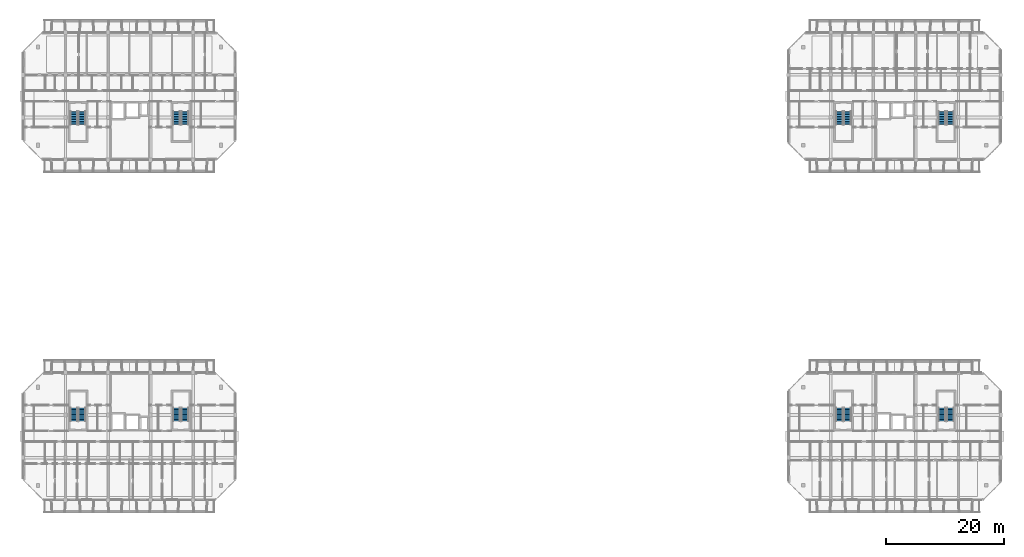
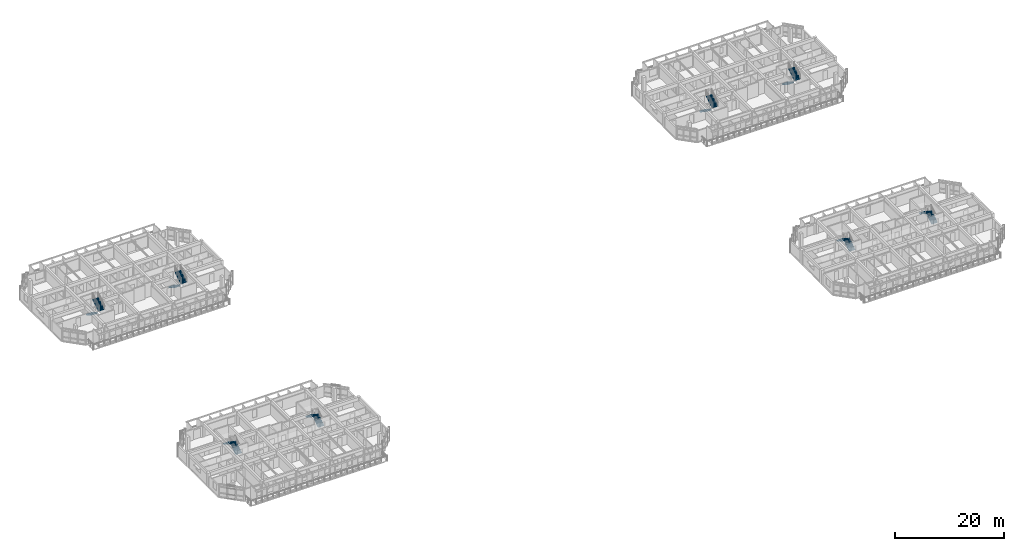
# One storey, part 28 of 43: 16 stair flights, 8 elements without a shape of their own.
"""IFC4 building model written with IfcOpenShell, lengths in metres."""

from ifc_helpers import new_model, si_unit, direction, frame, origin, place, context, subcontext, project, spatial, polyline, outline, extrude, material, type_object, element, aggregate, save


model = new_model("IFC4")

# Units and contexts
model_context = context("Model", 3, precision=1e-05, world=origin(), true_north=direction((0.0, 1.0)))
body_context = subcontext(model_context, "Body", "Model", "MODEL_VIEW")
ifc_project = project(units=[si_unit("LENGTHUNIT", "METRE"), si_unit("AREAUNIT", "SQUARE_METRE"), si_unit("VOLUMEUNIT", "CUBIC_METRE"), si_unit("PLANEANGLEUNIT", "RADIAN"), si_unit("MASSUNIT", "GRAM", prefix="KILO")], contexts=[model_context])

# Site, building, storey
site_placement = place(None, origin())
site = spatial("IfcSite", under=ifc_project, at=site_placement, CompositionType="ELEMENT")
building_placement = place(site_placement, origin())
building = spatial("IfcBuilding", under=site, at=building_placement, Name="Ochrevale Crest", CompositionType="ELEMENT")
storey_placement = place(building_placement, frame((0.0, 0.0, 15.0)))
storey = spatial("IfcBuildingStorey", under=building, at=storey_placement, Name="L04", CompositionType="ELEMENT", Elevation=15.0)

# Stair, stair flights
ifc_material = material(Name="Precast concrete C40/50", Category="concrete")
stair_type = type_object("IfcStairType", Name="ST-CORE-DOG", PredefinedType="HALF_TURN_STAIR", material=ifc_material)
stair_1_placement = place(storey_placement, origin())
stair_1 = element("IfcStair", 1, at=stair_1_placement, inside=storey, type_object=stair_type, Name="L04 Block A Fire Stair 1", PredefinedType="HALF_TURN_STAIR")
stair_flight_type = type_object("IfcStairFlightType", Name="SFL-CORE-125", PredefinedType="STRAIGHT", material=ifc_material)
stair_flight_1_placement = place(storey_placement, frame((10.02490234375, 27.77490234375, 0.0), z_axis=(0.0, 0.0, 1.0), x_axis=(0.0, 1.0, 0.0)))
stair_flight_1 = element("IfcStairFlight", 2, at=stair_flight_1_placement, type_object=stair_flight_type, Name="ST-A1 flight 1", NumberOfRisers=9, NumberOfTreads=8, PredefinedType="STRAIGHT", RiserHeight=0.175, TreadLength=0.28, context=body_context, shape_type="SweptSolid", body=[
    extrude(outline(polyline([(0.0, 0.0), (0.0, 0.175048828125), (0.280029296875, 0.175048828125), (0.280029296875, 0.35009765625), (0.56005859375, 0.35009765625), (0.56005859375, 0.52490234375), (0.840087890625, 0.52490234375), (0.840087890625, 0.699951171875), (1.1201171875, 0.699951171875), (1.1201171875, 0.875), (1.39990234375, 0.875), (1.39990234375, 1.050048828125), (1.679931640625, 1.050048828125), (1.679931640625, 1.22509765625), (1.9599609375, 1.22509765625), (1.9599609375, 1.39990234375), (2.239990234375, 1.39990234375), (2.239990234375, 1.574951171875), (2.239990234375, 1.22314453125), (0.28271484375, 0.0), (0.0, 0.0)])), frame((0.0, 0.625, 0.0), z_axis=(0.0, -1.0, 0.0), x_axis=(1.0, 0.0, 0.0)), (0.0, 0.0, 1.0), 1.25),
])
stair_flight_2_placement = place(storey_placement, frame((8.625, 30.014892578125, 1.574951171875), z_axis=(0.0, 0.0, 1.0), x_axis=(0.0, -1.0, 0.0)))
stair_flight_2 = element("IfcStairFlight", 3, at=stair_flight_2_placement, type_object=stair_flight_type, Name="ST-A1 flight 2", NumberOfRisers=9, NumberOfTreads=8, PredefinedType="STRAIGHT", RiserHeight=0.175, TreadLength=0.28, context=body_context, shape_type="SweptSolid", body=[
    extrude(outline(polyline([(0.0, 0.0), (0.0, 0.175048828125), (0.280029296875, 0.175048828125), (0.280029296875, 0.35009765625), (0.56005859375, 0.35009765625), (0.56005859375, 0.52490234375), (0.840087890625, 0.52490234375), (0.840087890625, 0.699951171875), (1.1201171875, 0.699951171875), (1.1201171875, 0.875), (1.39990234375, 0.875), (1.39990234375, 1.050048828125), (1.679931640625, 1.050048828125), (1.679931640625, 1.22509765625), (1.9599609375, 1.22509765625), (1.9599609375, 1.39990234375), (2.239990234375, 1.39990234375), (2.239990234375, 1.574951171875), (2.239990234375, 1.22314453125), (0.28271484375, 0.0), (0.0, 0.0)])), frame((0.0, 0.625, 0.0), z_axis=(0.0, -1.0, 0.0), x_axis=(1.0, 0.0, 0.0)), (0.0, 0.0, 1.0), 1.25),
])
aggregate(stair_1, [stair_flight_1, stair_flight_2])

stair_2_placement = place(storey_placement, origin())
stair_2 = element("IfcStair", 4, at=stair_2_placement, inside=storey, type_object=stair_type, Name="L04 Block A Fire Stair 2", PredefinedType="HALF_TURN_STAIR")
stair_flight_3_placement = place(storey_placement, frame((27.425048828125, 27.77490234375, 0.0), z_axis=(0.0, 0.0, 1.0), x_axis=(0.0, 1.0, 0.0)))
stair_flight_3 = element("IfcStairFlight", 5, at=stair_flight_3_placement, type_object=stair_flight_type, Name="ST-A2 flight 1", NumberOfRisers=9, NumberOfTreads=8, PredefinedType="STRAIGHT", RiserHeight=0.175, TreadLength=0.28, context=body_context, shape_type="SweptSolid", body=[
    extrude(outline(polyline([(0.0, 0.0), (0.0, 0.175048828125), (0.280029296875, 0.175048828125), (0.280029296875, 0.35009765625), (0.56005859375, 0.35009765625), (0.56005859375, 0.52490234375), (0.840087890625, 0.52490234375), (0.840087890625, 0.699951171875), (1.1201171875, 0.699951171875), (1.1201171875, 0.875), (1.39990234375, 0.875), (1.39990234375, 1.050048828125), (1.679931640625, 1.050048828125), (1.679931640625, 1.22509765625), (1.9599609375, 1.22509765625), (1.9599609375, 1.39990234375), (2.239990234375, 1.39990234375), (2.239990234375, 1.574951171875), (2.239990234375, 1.22314453125), (0.28271484375, 0.0), (0.0, 0.0)])), frame((0.0, 0.625, 0.0), z_axis=(0.0, -1.0, 0.0), x_axis=(1.0, 0.0, 0.0)), (0.0, 0.0, 1.0), 1.25),
])
stair_flight_4_placement = place(storey_placement, frame((26.02490234375, 30.014892578125, 1.574951171875), z_axis=(0.0, 0.0, 1.0), x_axis=(0.0, -1.0, 0.0)))
stair_flight_4 = element("IfcStairFlight", 6, at=stair_flight_4_placement, type_object=stair_flight_type, Name="ST-A2 flight 2", NumberOfRisers=9, NumberOfTreads=8, PredefinedType="STRAIGHT", RiserHeight=0.175, TreadLength=0.28, context=body_context, shape_type="SweptSolid", body=[
    extrude(outline(polyline([(0.0, 0.0), (0.0, 0.175048828125), (0.280029296875, 0.175048828125), (0.280029296875, 0.35009765625), (0.56005859375, 0.35009765625), (0.56005859375, 0.52490234375), (0.840087890625, 0.52490234375), (0.840087890625, 0.699951171875), (1.1201171875, 0.699951171875), (1.1201171875, 0.875), (1.39990234375, 0.875), (1.39990234375, 1.050048828125), (1.679931640625, 1.050048828125), (1.679931640625, 1.22509765625), (1.9599609375, 1.22509765625), (1.9599609375, 1.39990234375), (2.239990234375, 1.39990234375), (2.239990234375, 1.574951171875), (2.239990234375, 1.22314453125), (0.28271484375, 0.0), (0.0, 0.0)])), frame((0.0, 0.625, 0.0), z_axis=(0.0, -1.0, 0.0), x_axis=(1.0, 0.0, 0.0)), (0.0, 0.0, 1.0), 1.25),
])
aggregate(stair_2, [stair_flight_3, stair_flight_4])

stair_3_placement = place(storey_placement, origin())
stair_3 = element("IfcStair", 7, at=stair_3_placement, inside=storey, type_object=stair_type, Name="L04 Block B Fire Stair 1", PredefinedType="HALF_TURN_STAIR")
stair_flight_5_placement = place(storey_placement, frame((8.625, 80.22509765625, 0.0), z_axis=(0.0, 0.0, 1.0), x_axis=(0.0, -1.0, 0.0)))
stair_flight_5 = element("IfcStairFlight", 8, at=stair_flight_5_placement, type_object=stair_flight_type, Name="ST-B1 flight 1", NumberOfRisers=9, NumberOfTreads=8, PredefinedType="STRAIGHT", RiserHeight=0.175, TreadLength=0.28, context=body_context, shape_type="SweptSolid", body=[
    extrude(outline(polyline([(0.0, 0.0), (0.0, 0.175048828125), (0.280029296875, 0.175048828125), (0.280029296875, 0.35009765625), (0.56005859375, 0.35009765625), (0.56005859375, 0.52490234375), (0.840087890625, 0.52490234375), (0.840087890625, 0.699951171875), (1.1201171875, 0.699951171875), (1.1201171875, 0.875), (1.39990234375, 0.875), (1.39990234375, 1.050048828125), (1.679931640625, 1.050048828125), (1.679931640625, 1.22509765625), (1.9599609375, 1.22509765625), (1.9599609375, 1.39990234375), (2.239990234375, 1.39990234375), (2.239990234375, 1.574951171875), (2.239990234375, 1.22314453125), (0.28271484375, 0.0), (0.0, 0.0)])), frame((0.0, 0.625, 0.0), z_axis=(0.0, -1.0, 0.0), x_axis=(1.0, 0.0, 0.0)), (0.0, 0.0, 1.0), 1.25),
])
stair_flight_6_placement = place(storey_placement, frame((10.02490234375, 77.985107421875, 1.574951171875), z_axis=(0.0, 0.0, 1.0), x_axis=(0.0, 1.0, 0.0)))
stair_flight_6 = element("IfcStairFlight", 9, at=stair_flight_6_placement, type_object=stair_flight_type, Name="ST-B1 flight 2", NumberOfRisers=9, NumberOfTreads=8, PredefinedType="STRAIGHT", RiserHeight=0.175, TreadLength=0.28, context=body_context, shape_type="SweptSolid", body=[
    extrude(outline(polyline([(0.0, 0.0), (0.0, 0.175048828125), (0.280029296875, 0.175048828125), (0.280029296875, 0.35009765625), (0.56005859375, 0.35009765625), (0.56005859375, 0.52490234375), (0.840087890625, 0.52490234375), (0.840087890625, 0.699951171875), (1.1201171875, 0.699951171875), (1.1201171875, 0.875), (1.39990234375, 0.875), (1.39990234375, 1.050048828125), (1.679931640625, 1.050048828125), (1.679931640625, 1.22509765625), (1.9599609375, 1.22509765625), (1.9599609375, 1.39990234375), (2.239990234375, 1.39990234375), (2.239990234375, 1.574951171875), (2.239990234375, 1.22314453125), (0.28271484375, 0.0), (0.0, 0.0)])), frame((0.0, 0.625, 0.0), z_axis=(0.0, -1.0, 0.0), x_axis=(1.0, 0.0, 0.0)), (0.0, 0.0, 1.0), 1.25),
])
aggregate(stair_3, [stair_flight_5, stair_flight_6])

stair_4_placement = place(storey_placement, origin())
stair_4 = element("IfcStair", 10, at=stair_4_placement, inside=storey, type_object=stair_type, Name="L04 Block B Fire Stair 2", PredefinedType="HALF_TURN_STAIR")
stair_flight_7_placement = place(storey_placement, frame((26.02490234375, 80.22509765625, 0.0), z_axis=(0.0, 0.0, 1.0), x_axis=(0.0, -1.0, 0.0)))
stair_flight_7 = element("IfcStairFlight", 11, at=stair_flight_7_placement, type_object=stair_flight_type, Name="ST-B2 flight 1", NumberOfRisers=9, NumberOfTreads=8, PredefinedType="STRAIGHT", RiserHeight=0.175, TreadLength=0.28, context=body_context, shape_type="SweptSolid", body=[
    extrude(outline(polyline([(0.0, 0.0), (0.0, 0.175048828125), (0.280029296875, 0.175048828125), (0.280029296875, 0.35009765625), (0.56005859375, 0.35009765625), (0.56005859375, 0.52490234375), (0.840087890625, 0.52490234375), (0.840087890625, 0.699951171875), (1.1201171875, 0.699951171875), (1.1201171875, 0.875), (1.39990234375, 0.875), (1.39990234375, 1.050048828125), (1.679931640625, 1.050048828125), (1.679931640625, 1.22509765625), (1.9599609375, 1.22509765625), (1.9599609375, 1.39990234375), (2.239990234375, 1.39990234375), (2.239990234375, 1.574951171875), (2.239990234375, 1.22314453125), (0.28271484375, 0.0), (0.0, 0.0)])), frame((0.0, 0.625, 0.0), z_axis=(0.0, -1.0, 0.0), x_axis=(1.0, 0.0, 0.0)), (0.0, 0.0, 1.0), 1.25),
])
stair_flight_8_placement = place(storey_placement, frame((27.425048828125, 77.985107421875, 1.574951171875), z_axis=(0.0, 0.0, 1.0), x_axis=(0.0, 1.0, 0.0)))
stair_flight_8 = element("IfcStairFlight", 12, at=stair_flight_8_placement, type_object=stair_flight_type, Name="ST-B2 flight 2", NumberOfRisers=9, NumberOfTreads=8, PredefinedType="STRAIGHT", RiserHeight=0.175, TreadLength=0.28, context=body_context, shape_type="SweptSolid", body=[
    extrude(outline(polyline([(0.0, 0.0), (0.0, 0.175048828125), (0.280029296875, 0.175048828125), (0.280029296875, 0.35009765625), (0.56005859375, 0.35009765625), (0.56005859375, 0.52490234375), (0.840087890625, 0.52490234375), (0.840087890625, 0.699951171875), (1.1201171875, 0.699951171875), (1.1201171875, 0.875), (1.39990234375, 0.875), (1.39990234375, 1.050048828125), (1.679931640625, 1.050048828125), (1.679931640625, 1.22509765625), (1.9599609375, 1.22509765625), (1.9599609375, 1.39990234375), (2.239990234375, 1.39990234375), (2.239990234375, 1.574951171875), (2.239990234375, 1.22314453125), (0.28271484375, 0.0), (0.0, 0.0)])), frame((0.0, 0.625, 0.0), z_axis=(0.0, -1.0, 0.0), x_axis=(1.0, 0.0, 0.0)), (0.0, 0.0, 1.0), 1.25),
])
aggregate(stair_4, [stair_flight_7, stair_flight_8])

stair_5_placement = place(storey_placement, origin())
stair_5 = element("IfcStair", 13, at=stair_5_placement, inside=storey, type_object=stair_type, Name="L04 Block C Fire Stair 1", PredefinedType="HALF_TURN_STAIR")
stair_flight_9_placement = place(storey_placement, frame((139.625, 27.77490234375, 0.0), z_axis=(0.0, 0.0, 1.0), x_axis=(0.0, 1.0, 0.0)))
stair_flight_9 = element("IfcStairFlight", 14, at=stair_flight_9_placement, type_object=stair_flight_type, Name="ST-C1 flight 1", NumberOfRisers=9, NumberOfTreads=8, PredefinedType="STRAIGHT", RiserHeight=0.175, TreadLength=0.28, context=body_context, shape_type="SweptSolid", body=[
    extrude(outline(polyline([(0.0, 0.0), (0.0, 0.175048828125), (0.280029296875, 0.175048828125), (0.280029296875, 0.35009765625), (0.56005859375, 0.35009765625), (0.56005859375, 0.52490234375), (0.840087890625, 0.52490234375), (0.840087890625, 0.699951171875), (1.1201171875, 0.699951171875), (1.1201171875, 0.875), (1.39990234375, 0.875), (1.39990234375, 1.050048828125), (1.679931640625, 1.050048828125), (1.679931640625, 1.22509765625), (1.9599609375, 1.22509765625), (1.9599609375, 1.39990234375), (2.239990234375, 1.39990234375), (2.239990234375, 1.574951171875), (2.239990234375, 1.22314453125), (0.28271484375, 0.0), (0.0, 0.0)])), frame((0.0, 0.625, 0.0), z_axis=(0.0, -1.0, 0.0), x_axis=(1.0, 0.0, 0.0)), (0.0, 0.0, 1.0), 1.25),
])
stair_flight_10_placement = place(storey_placement, frame((138.22509765625, 30.014892578125, 1.574951171875), z_axis=(0.0, 0.0, 1.0), x_axis=(0.0, -1.0, 0.0)))
stair_flight_10 = element("IfcStairFlight", 15, at=stair_flight_10_placement, type_object=stair_flight_type, Name="ST-C1 flight 2", NumberOfRisers=9, NumberOfTreads=8, PredefinedType="STRAIGHT", RiserHeight=0.175, TreadLength=0.28, context=body_context, shape_type="SweptSolid", body=[
    extrude(outline(polyline([(0.0, 0.0), (0.0, 0.175048828125), (0.280029296875, 0.175048828125), (0.280029296875, 0.35009765625), (0.56005859375, 0.35009765625), (0.56005859375, 0.52490234375), (0.840087890625, 0.52490234375), (0.840087890625, 0.699951171875), (1.1201171875, 0.699951171875), (1.1201171875, 0.875), (1.39990234375, 0.875), (1.39990234375, 1.050048828125), (1.679931640625, 1.050048828125), (1.679931640625, 1.22509765625), (1.9599609375, 1.22509765625), (1.9599609375, 1.39990234375), (2.239990234375, 1.39990234375), (2.239990234375, 1.574951171875), (2.239990234375, 1.22314453125), (0.28271484375, 0.0), (0.0, 0.0)])), frame((0.0, 0.625, 0.0), z_axis=(0.0, -1.0, 0.0), x_axis=(1.0, 0.0, 0.0)), (0.0, 0.0, 1.0), 1.25),
])
aggregate(stair_5, [stair_flight_9, stair_flight_10])

stair_6_placement = place(storey_placement, origin())
stair_6 = element("IfcStair", 16, at=stair_6_placement, inside=storey, type_object=stair_type, Name="L04 Block C Fire Stair 2", PredefinedType="HALF_TURN_STAIR")
stair_flight_11_placement = place(storey_placement, frame((157.02490234375, 27.77490234375, 0.0), z_axis=(0.0, 0.0, 1.0), x_axis=(0.0, 1.0, 0.0)))
stair_flight_11 = element("IfcStairFlight", 17, at=stair_flight_11_placement, type_object=stair_flight_type, Name="ST-C2 flight 1", NumberOfRisers=9, NumberOfTreads=8, PredefinedType="STRAIGHT", RiserHeight=0.175, TreadLength=0.28, context=body_context, shape_type="SweptSolid", body=[
    extrude(outline(polyline([(0.0, 0.0), (0.0, 0.175048828125), (0.280029296875, 0.175048828125), (0.280029296875, 0.35009765625), (0.56005859375, 0.35009765625), (0.56005859375, 0.52490234375), (0.840087890625, 0.52490234375), (0.840087890625, 0.699951171875), (1.1201171875, 0.699951171875), (1.1201171875, 0.875), (1.39990234375, 0.875), (1.39990234375, 1.050048828125), (1.679931640625, 1.050048828125), (1.679931640625, 1.22509765625), (1.9599609375, 1.22509765625), (1.9599609375, 1.39990234375), (2.239990234375, 1.39990234375), (2.239990234375, 1.574951171875), (2.239990234375, 1.22314453125), (0.28271484375, 0.0), (0.0, 0.0)])), frame((0.0, 0.625, 0.0), z_axis=(0.0, -1.0, 0.0), x_axis=(1.0, 0.0, 0.0)), (0.0, 0.0, 1.0), 1.25),
])
stair_flight_12_placement = place(storey_placement, frame((155.625, 30.014892578125, 1.574951171875), z_axis=(0.0, 0.0, 1.0), x_axis=(0.0, -1.0, 0.0)))
stair_flight_12 = element("IfcStairFlight", 18, at=stair_flight_12_placement, type_object=stair_flight_type, Name="ST-C2 flight 2", NumberOfRisers=9, NumberOfTreads=8, PredefinedType="STRAIGHT", RiserHeight=0.175, TreadLength=0.28, context=body_context, shape_type="SweptSolid", body=[
    extrude(outline(polyline([(0.0, 0.0), (0.0, 0.175048828125), (0.280029296875, 0.175048828125), (0.280029296875, 0.35009765625), (0.56005859375, 0.35009765625), (0.56005859375, 0.52490234375), (0.840087890625, 0.52490234375), (0.840087890625, 0.699951171875), (1.1201171875, 0.699951171875), (1.1201171875, 0.875), (1.39990234375, 0.875), (1.39990234375, 1.050048828125), (1.679931640625, 1.050048828125), (1.679931640625, 1.22509765625), (1.9599609375, 1.22509765625), (1.9599609375, 1.39990234375), (2.239990234375, 1.39990234375), (2.239990234375, 1.574951171875), (2.239990234375, 1.22314453125), (0.28271484375, 0.0), (0.0, 0.0)])), frame((0.0, 0.625, 0.0), z_axis=(0.0, -1.0, 0.0), x_axis=(1.0, 0.0, 0.0)), (0.0, 0.0, 1.0), 1.25),
])
aggregate(stair_6, [stair_flight_11, stair_flight_12])

stair_7_placement = place(storey_placement, origin())
stair_7 = element("IfcStair", 19, at=stair_7_placement, inside=storey, type_object=stair_type, Name="L04 Block D Fire Stair 1", PredefinedType="HALF_TURN_STAIR")
stair_flight_13_placement = place(storey_placement, frame((138.22509765625, 80.22509765625, 0.0), z_axis=(0.0, 0.0, 1.0), x_axis=(0.0, -1.0, 0.0)))
stair_flight_13 = element("IfcStairFlight", 20, at=stair_flight_13_placement, type_object=stair_flight_type, Name="ST-D1 flight 1", NumberOfRisers=9, NumberOfTreads=8, PredefinedType="STRAIGHT", RiserHeight=0.175, TreadLength=0.28, context=body_context, shape_type="SweptSolid", body=[
    extrude(outline(polyline([(0.0, 0.0), (0.0, 0.175048828125), (0.280029296875, 0.175048828125), (0.280029296875, 0.35009765625), (0.56005859375, 0.35009765625), (0.56005859375, 0.52490234375), (0.840087890625, 0.52490234375), (0.840087890625, 0.699951171875), (1.1201171875, 0.699951171875), (1.1201171875, 0.875), (1.39990234375, 0.875), (1.39990234375, 1.050048828125), (1.679931640625, 1.050048828125), (1.679931640625, 1.22509765625), (1.9599609375, 1.22509765625), (1.9599609375, 1.39990234375), (2.239990234375, 1.39990234375), (2.239990234375, 1.574951171875), (2.239990234375, 1.22314453125), (0.28271484375, 0.0), (0.0, 0.0)])), frame((0.0, 0.625, 0.0), z_axis=(0.0, -1.0, 0.0), x_axis=(1.0, 0.0, 0.0)), (0.0, 0.0, 1.0), 1.25),
])
stair_flight_14_placement = place(storey_placement, frame((139.625, 77.985107421875, 1.574951171875), z_axis=(0.0, 0.0, 1.0), x_axis=(0.0, 1.0, 0.0)))
stair_flight_14 = element("IfcStairFlight", 21, at=stair_flight_14_placement, type_object=stair_flight_type, Name="ST-D1 flight 2", NumberOfRisers=9, NumberOfTreads=8, PredefinedType="STRAIGHT", RiserHeight=0.175, TreadLength=0.28, context=body_context, shape_type="SweptSolid", body=[
    extrude(outline(polyline([(0.0, 0.0), (0.0, 0.175048828125), (0.280029296875, 0.175048828125), (0.280029296875, 0.35009765625), (0.56005859375, 0.35009765625), (0.56005859375, 0.52490234375), (0.840087890625, 0.52490234375), (0.840087890625, 0.699951171875), (1.1201171875, 0.699951171875), (1.1201171875, 0.875), (1.39990234375, 0.875), (1.39990234375, 1.050048828125), (1.679931640625, 1.050048828125), (1.679931640625, 1.22509765625), (1.9599609375, 1.22509765625), (1.9599609375, 1.39990234375), (2.239990234375, 1.39990234375), (2.239990234375, 1.574951171875), (2.239990234375, 1.22314453125), (0.28271484375, 0.0), (0.0, 0.0)])), frame((0.0, 0.625, 0.0), z_axis=(0.0, -1.0, 0.0), x_axis=(1.0, 0.0, 0.0)), (0.0, 0.0, 1.0), 1.25),
])
aggregate(stair_7, [stair_flight_13, stair_flight_14])

stair_8_placement = place(storey_placement, origin())
stair_8 = element("IfcStair", 22, at=stair_8_placement, inside=storey, type_object=stair_type, Name="L04 Block D Fire Stair 2", PredefinedType="HALF_TURN_STAIR")
stair_flight_15_placement = place(storey_placement, frame((155.625, 80.22509765625, 0.0), z_axis=(0.0, 0.0, 1.0), x_axis=(0.0, -1.0, 0.0)))
stair_flight_15 = element("IfcStairFlight", 23, at=stair_flight_15_placement, type_object=stair_flight_type, Name="ST-D2 flight 1", NumberOfRisers=9, NumberOfTreads=8, PredefinedType="STRAIGHT", RiserHeight=0.175, TreadLength=0.28, context=body_context, shape_type="SweptSolid", body=[
    extrude(outline(polyline([(0.0, 0.0), (0.0, 0.175048828125), (0.280029296875, 0.175048828125), (0.280029296875, 0.35009765625), (0.56005859375, 0.35009765625), (0.56005859375, 0.52490234375), (0.840087890625, 0.52490234375), (0.840087890625, 0.699951171875), (1.1201171875, 0.699951171875), (1.1201171875, 0.875), (1.39990234375, 0.875), (1.39990234375, 1.050048828125), (1.679931640625, 1.050048828125), (1.679931640625, 1.22509765625), (1.9599609375, 1.22509765625), (1.9599609375, 1.39990234375), (2.239990234375, 1.39990234375), (2.239990234375, 1.574951171875), (2.239990234375, 1.22314453125), (0.28271484375, 0.0), (0.0, 0.0)])), frame((0.0, 0.625, 0.0), z_axis=(0.0, -1.0, 0.0), x_axis=(1.0, 0.0, 0.0)), (0.0, 0.0, 1.0), 1.25),
])
stair_flight_16_placement = place(storey_placement, frame((157.02490234375, 77.985107421875, 1.574951171875), z_axis=(0.0, 0.0, 1.0), x_axis=(0.0, 1.0, 0.0)))
stair_flight_16 = element("IfcStairFlight", 24, at=stair_flight_16_placement, type_object=stair_flight_type, Name="ST-D2 flight 2", NumberOfRisers=9, NumberOfTreads=8, PredefinedType="STRAIGHT", RiserHeight=0.175, TreadLength=0.28, context=body_context, shape_type="SweptSolid", body=[
    extrude(outline(polyline([(0.0, 0.0), (0.0, 0.175048828125), (0.280029296875, 0.175048828125), (0.280029296875, 0.35009765625), (0.56005859375, 0.35009765625), (0.56005859375, 0.52490234375), (0.840087890625, 0.52490234375), (0.840087890625, 0.699951171875), (1.1201171875, 0.699951171875), (1.1201171875, 0.875), (1.39990234375, 0.875), (1.39990234375, 1.050048828125), (1.679931640625, 1.050048828125), (1.679931640625, 1.22509765625), (1.9599609375, 1.22509765625), (1.9599609375, 1.39990234375), (2.239990234375, 1.39990234375), (2.239990234375, 1.574951171875), (2.239990234375, 1.22314453125), (0.28271484375, 0.0), (0.0, 0.0)])), frame((0.0, 0.625, 0.0), z_axis=(0.0, -1.0, 0.0), x_axis=(1.0, 0.0, 0.0)), (0.0, 0.0, 1.0), 1.25),
])
aggregate(stair_8, [stair_flight_15, stair_flight_16])

save(model, "model.ifc")
